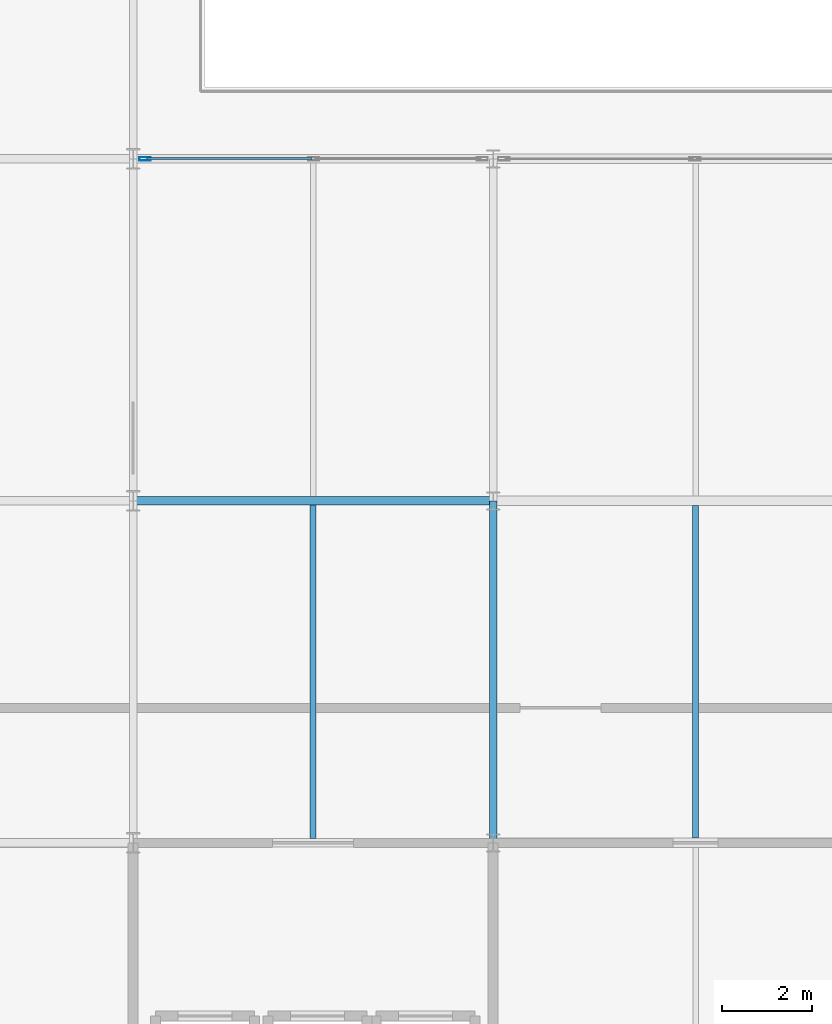
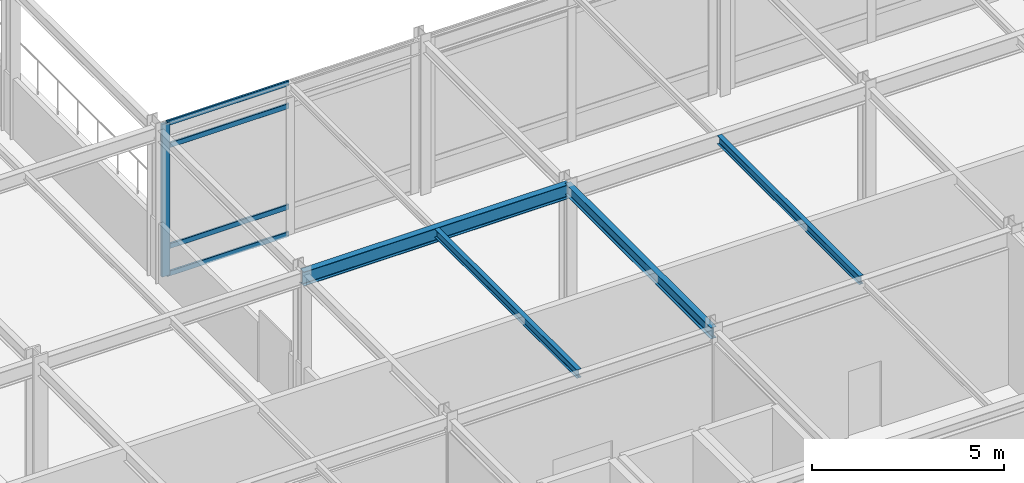
# One storey, part 28 of 113: 5 members, 4 beams, 1 element without a shape of its own.
"""IFC4 building model written with IfcOpenShell, lengths in metres."""

from ifc_helpers import new_model, si_unit, direction, frame, origin, origin_2d, place, context, subcontext, project, spatial, hollow_rectangle, i_section, extrude, material, layer, layer_set, material_profile, profile_set, type_object, element, aggregate, save


model = new_model("IFC4")

# Units and contexts
model_context = context("Model", 3, precision=1e-05, world=origin(), true_north=direction((0.0, 1.0)))
body_context = subcontext(model_context, "Body", "Model", "MODEL_VIEW")
ifc_project = project(units=[si_unit("LENGTHUNIT", "METRE"), si_unit("AREAUNIT", "SQUARE_METRE"), si_unit("VOLUMEUNIT", "CUBIC_METRE"), si_unit("PLANEANGLEUNIT", "RADIAN"), si_unit("MASSUNIT", "GRAM", prefix="KILO")], contexts=[model_context])

# Site, building, storey
site_placement = place(None, origin())
site = spatial("IfcSite", under=ifc_project, at=site_placement, CompositionType="ELEMENT")
building_placement = place(site_placement, origin())
building = spatial("IfcBuilding", under=site, at=building_placement, Name="Shalkamar Park Central Library", CompositionType="ELEMENT")
storey_placement = place(building_placement, frame((0.0, 0.0, 5.39990234375)))
storey = spatial("IfcBuildingStorey", under=building, at=storey_placement, Name="L02", CompositionType="ELEMENT", Elevation=5.39990234375)

# Beams
ifc_material_1 = material(Name="Steel S355", Category="steel")
ifc_material_profile_1 = material_profile(ifc_material_1, i_section(OverallWidth=0.135009765625, OverallDepth=0.27001953125, WebThickness=0.006591796875, FlangeThickness=0.01025390625, FilletRadius=0.014892578125, at=origin_2d()), Name="IPE 270")
ifc_profile_set_1 = profile_set([ifc_material_profile_1], Name="Steel S355")
beam_type_1 = type_object("IfcBeamType", Name="Composite Floor Joist IPE270", PredefinedType="JOIST", material=ifc_profile_set_1)
beam_1_placement = place(storey_placement, frame((233.0, 255.29296875, 4.72509765625), z_axis=(0.0, 1.0, 0.0), x_axis=(-1.0, 0.0, 0.0)))
element("IfcBeam", 1, at=beam_1_placement, inside=storey, type_object=beam_type_1, Name="Composite Joist 15/C-1 (L02)", PredefinedType="JOIST", context=body_context, shape_type="SweptSolid", body=[
    extrude(i_section(OverallWidth=0.135009765625, OverallDepth=0.27001953125, WebThickness=0.006591796875, FlangeThickness=0.01025390625, FilletRadius=0.014892578125, at=origin_2d()), origin(), (0.0, 0.0, 1.0), 7.4140625),
])
beam_2_placement = place(storey_placement, frame((241.5, 255.302978515625, 4.72509765625), z_axis=(0.0, 1.0, 0.0), x_axis=(-1.0, 0.0, 0.0)))
element("IfcBeam", 2, at=beam_2_placement, inside=storey, type_object=beam_type_1, Name="Composite Joist 16/C-1 (L02)", PredefinedType="JOIST", context=body_context, shape_type="SweptSolid", body=[
    extrude(i_section(OverallWidth=0.135009765625, OverallDepth=0.27001953125, WebThickness=0.006591796875, FlangeThickness=0.01025390625, FilletRadius=0.014892578125, at=origin_2d()), origin(), (0.0, 0.0, 1.0), 7.39404296875),
])

# Curtain wall, members
ifc_material_2 = material(Name="Thermally broken aluminium and triple low-e curtain wall", Category="aluminium")
ifc_layer = layer(ifc_material_2, 0.25)
ifc_layer_set = layer_set([ifc_layer], Name="AtriumGlazedScreen_115")
curtain_wall_type = type_object("IfcCurtainWallType", Name="Atrium Glazed Screen 115", PredefinedType="USERDEFINED", material=ifc_layer_set)
curtain_wall_placement = place(storey_placement, origin())
curtain_wall = element("IfcCurtainWall", 3, at=curtain_wall_placement, inside=storey, type_object=curtain_wall_type, Name="Atrium Glazed Screen CW-L02-172", ObjectType="ATRIUM GLAZED SCREEN", PredefinedType="USERDEFINED")
ifc_material_3 = material(Name="Aluminium 6060-T66", Category="aluminium")
ifc_material_profile_2 = material_profile(ifc_material_3, hollow_rectangle(XDim=0.074951171875, YDim=0.25, WallThickness=0.00390625, InnerFilletRadius=0.00390625, OuterFilletRadius=0.006103515625, at=origin_2d()), Name="ALU 75x250x4")
ifc_profile_set_2 = profile_set([ifc_material_profile_2], Name="Aluminium 6060-T66")
member_type_1 = type_object("IfcMemberType", Name="Curtain Wall Mullion ALU75x250", PredefinedType="MULLION", material=ifc_profile_set_2)
member_1_placement = place(storey_placement, frame((229.2666015625, 270.39990234375, 0.0), z_axis=(0.0, 0.0, 1.0), x_axis=(0.0, 1.0, 0.0)))
member_1 = element("IfcMember", 4, at=member_1_placement, type_object=member_type_1, Name="CW-115 mullion 1", PredefinedType="MULLION", context=body_context, shape_type="SweptSolid", body=[
    extrude(hollow_rectangle(XDim=0.074951171875, YDim=0.25, WallThickness=0.00390625, InnerFilletRadius=0.00390625, OuterFilletRadius=0.006103515625, at=origin_2d()), origin(), (0.0, 0.0, 1.0), 4.860107421875),
])
ifc_material_profile_3 = material_profile(ifc_material_3, hollow_rectangle(XDim=0.06005859375, YDim=0.159912109375, WallThickness=0.00390625, InnerFilletRadius=0.00390625, OuterFilletRadius=0.006103515625, at=origin_2d()), Name="ALU 60x160x4")
ifc_profile_set_3 = profile_set([ifc_material_profile_3], Name="Aluminium 6060-T66")
member_type_2 = type_object("IfcMemberType", Name="Curtain Wall Transom ALU60x160", PredefinedType="USERDEFINED", material=ifc_profile_set_3)
member_2_placement = place(storey_placement, frame((229.303955078125, 270.39990234375, 0.030029296875), z_axis=(1.0, 0.0, 0.0), x_axis=(0.0, 1.0, 0.0)))
member_2 = element("IfcMember", 5, at=member_2_placement, type_object=member_type_2, Name="CW-115 transom 1.1", ObjectType="TRANSOM", PredefinedType="USERDEFINED", context=body_context, shape_type="SweptSolid", body=[
    extrude(hollow_rectangle(XDim=0.06005859375, YDim=0.159912109375, WallThickness=0.00390625, InnerFilletRadius=0.00390625, OuterFilletRadius=0.006103515625, at=origin_2d()), origin(), (0.0, 0.0, 1.0), 3.671142578125),
])
member_3_placement = place(storey_placement, frame((229.303955078125, 270.39990234375, 0.900146484375), z_axis=(1.0, 0.0, 0.0), x_axis=(0.0, 1.0, 0.0)))
member_3 = element("IfcMember", 6, at=member_3_placement, type_object=member_type_2, Name="CW-115 transom 1.2", ObjectType="TRANSOM", PredefinedType="USERDEFINED", context=body_context, shape_type="SweptSolid", body=[
    extrude(hollow_rectangle(XDim=0.06005859375, YDim=0.159912109375, WallThickness=0.00390625, InnerFilletRadius=0.00390625, OuterFilletRadius=0.006103515625, at=origin_2d()), origin(), (0.0, 0.0, 1.0), 3.671142578125),
])
member_4_placement = place(storey_placement, frame((229.303955078125, 270.39990234375, 4.110107421875), z_axis=(1.0, 0.0, 0.0), x_axis=(0.0, 1.0, 0.0)))
member_4 = element("IfcMember", 7, at=member_4_placement, type_object=member_type_2, Name="CW-115 transom 1.3", ObjectType="TRANSOM", PredefinedType="USERDEFINED", context=body_context, shape_type="SweptSolid", body=[
    extrude(hollow_rectangle(XDim=0.06005859375, YDim=0.159912109375, WallThickness=0.00390625, InnerFilletRadius=0.00390625, OuterFilletRadius=0.006103515625, at=origin_2d()), origin(), (0.0, 0.0, 1.0), 3.671142578125),
])
member_5_placement = place(storey_placement, frame((229.303955078125, 270.39990234375, 4.830078125), z_axis=(1.0, 0.0, 0.0), x_axis=(0.0, 1.0, 0.0)))
member_5 = element("IfcMember", 8, at=member_5_placement, type_object=member_type_2, Name="CW-115 transom 1.4", ObjectType="TRANSOM", PredefinedType="USERDEFINED", context=body_context, shape_type="SweptSolid", body=[
    extrude(hollow_rectangle(XDim=0.06005859375, YDim=0.159912109375, WallThickness=0.00390625, InnerFilletRadius=0.00390625, OuterFilletRadius=0.006103515625, at=origin_2d()), origin(), (0.0, 0.0, 1.0), 3.671142578125),
])
aggregate(curtain_wall, [member_1, member_2, member_3, member_4, member_5])

# Beams
ifc_material_profile_4 = material_profile(ifc_material_1, i_section(OverallWidth=0.169921875, OverallDepth=0.360107421875, WebThickness=0.008056640625, FlangeThickness=0.0126953125, FilletRadius=0.01806640625, at=origin_2d()), Name="IPE 360")
ifc_profile_set_4 = profile_set([ifc_material_profile_4], Name="Steel S355")
beam_type_2 = type_object("IfcBeamType", Name="Primary Girder IPE360", PredefinedType="BEAM", material=ifc_profile_set_4)
beam_3_placement = place(storey_placement, frame((237.0, 255.199951171875, 4.68017578125), z_axis=(0.0, 1.0, 0.0), x_axis=(-1.0, 0.0, 0.0)))
element("IfcBeam", 9, at=beam_3_placement, inside=storey, type_object=beam_type_2, Name="Beam 16:C-D (L02)", PredefinedType="BEAM", context=body_context, shape_type="SweptSolid", body=[
    extrude(i_section(OverallWidth=0.169921875, OverallDepth=0.360107421875, WebThickness=0.008056640625, FlangeThickness=0.0126953125, FilletRadius=0.01806640625, at=origin_2d()), origin(), (0.0, 0.0, 1.0), 7.60009765625),
])
ifc_material_profile_5 = material_profile(ifc_material_1, i_section(OverallWidth=0.18994140625, OverallDepth=0.449951171875, WebThickness=0.009521484375, FlangeThickness=0.0146484375, FilletRadius=0.02099609375, at=origin_2d()), Name="IPE 450")
ifc_profile_set_5 = profile_set([ifc_material_profile_5], Name="Steel S355")
beam_type_3 = type_object("IfcBeamType", Name="Primary Girder IPE450", PredefinedType="BEAM", material=ifc_profile_set_5)
beam_4_placement = place(storey_placement, frame((229.0, 262.800048828125, 4.635009765625), z_axis=(1.0, 0.0, 0.0), x_axis=(0.0, 1.0, 0.0)))
element("IfcBeam", 10, at=beam_4_placement, inside=storey, type_object=beam_type_3, Name="Beam D:15-16 (L02)", PredefinedType="BEAM", context=body_context, shape_type="SweptSolid", body=[
    extrude(i_section(OverallWidth=0.18994140625, OverallDepth=0.449951171875, WebThickness=0.009521484375, FlangeThickness=0.0146484375, FilletRadius=0.02099609375, at=origin_2d()), origin(), (0.0, 0.0, 1.0), 8.0),
])

save(model, "model.ifc")
